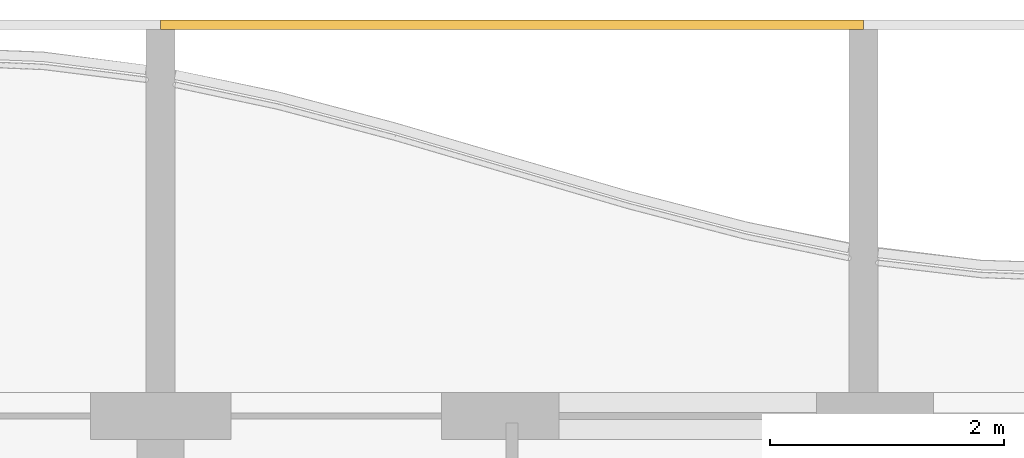
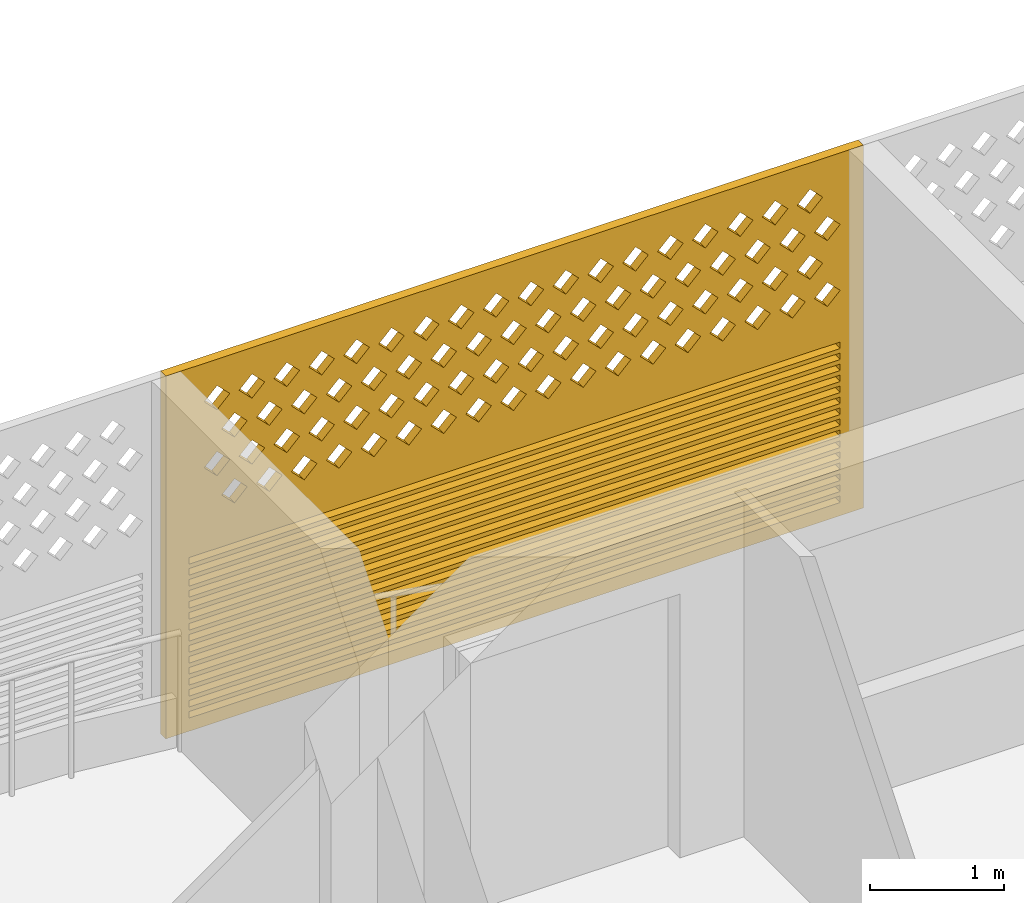
# One storey, part 31 of 44: 1 covering.
"""IFC4 building model written with IfcOpenShell, lengths in metres."""

from ifc_helpers import new_model, si_unit, direction, frame, origin, place, context, subcontext, project, spatial, polyline, outline, extrude, source, transform, mapped, material, material_profile, profile_set, type_object, element, save


model = new_model("IFC4")

# Units and contexts
model_context = context("Model", 3, precision=1e-05, world=origin(), true_north=direction((0.0, 1.0)))
body_context = subcontext(model_context, "Body", "Model", "MODEL_VIEW")
ifc_project = project(units=[si_unit("LENGTHUNIT", "METRE"), si_unit("AREAUNIT", "SQUARE_METRE"), si_unit("VOLUMEUNIT", "CUBIC_METRE"), si_unit("PLANEANGLEUNIT", "RADIAN"), si_unit("MASSUNIT", "GRAM", prefix="KILO")], contexts=[model_context])

# Site, building, storey
site_placement = place(None, origin())
site = spatial("IfcSite", under=ifc_project, at=site_placement, CompositionType="ELEMENT")
building_placement = place(site_placement, origin())
building = spatial("IfcBuilding", under=site, at=building_placement, Name="Poui Terraces", CompositionType="ELEMENT")
storey_placement = place(building_placement, frame((0.0, 0.0, 26.699951171875)))
storey = spatial("IfcBuildingStorey", under=building, at=storey_placement, Name="L06", CompositionType="ELEMENT", Elevation=26.699951171875)

# Covering
ifc_material = material(Name="Terracotta screen", Category="masonry")
ifc_material_profile = material_profile(ifc_material, outline(polyline([(-3.0, -1.64990234375), (3.0, -1.64990234375), (3.0, 1.64990234375), (-3.0, 1.64990234375), (-3.0, -1.64990234375)]), holes=[polyline([(-2.800048828125, 0.39990234375), (-2.68994140625, 0.2900390625), (-2.580078125, 0.39990234375), (-2.68994140625, 0.510009765625), (-2.800048828125, 0.39990234375)]), polyline([(-2.5, 0.39990234375), (-2.389892578125, 0.2900390625), (-2.280029296875, 0.39990234375), (-2.389892578125, 0.510009765625), (-2.5, 0.39990234375)]), polyline([(-2.199951171875, 0.39990234375), (-2.090087890625, 0.2900390625), (-1.97998046875, 0.39990234375), (-2.090087890625, 0.510009765625), (-2.199951171875, 0.39990234375)]), polyline([(-1.89990234375, 0.39990234375), (-1.7900390625, 0.2900390625), (-1.679931640625, 0.39990234375), (-1.7900390625, 0.510009765625), (-1.89990234375, 0.39990234375)]), polyline([(-1.60009765625, 0.39990234375), (-1.489990234375, 0.2900390625), (-1.3798828125, 0.39990234375), (-1.489990234375, 0.510009765625), (-1.60009765625, 0.39990234375)]), polyline([(-1.300048828125, 0.39990234375), (-1.18994140625, 0.2900390625), (-1.080078125, 0.39990234375), (-1.18994140625, 0.510009765625), (-1.300048828125, 0.39990234375)]), polyline([(-1.0, 0.39990234375), (-0.889892578125, 0.2900390625), (-0.780029296875, 0.39990234375), (-0.889892578125, 0.510009765625), (-1.0, 0.39990234375)]), polyline([(-0.699951171875, 0.39990234375), (-0.590087890625, 0.2900390625), (-0.47998046875, 0.39990234375), (-0.590087890625, 0.510009765625), (-0.699951171875, 0.39990234375)]), polyline([(-0.39990234375, 0.39990234375), (-0.2900390625, 0.2900390625), (-0.179931640625, 0.39990234375), (-0.2900390625, 0.510009765625), (-0.39990234375, 0.39990234375)]), polyline([(-0.10009765625, 0.39990234375), (0.010009765625, 0.2900390625), (0.1201171875, 0.39990234375), (0.010009765625, 0.510009765625), (-0.10009765625, 0.39990234375)]), polyline([(0.199951171875, 0.39990234375), (0.31005859375, 0.2900390625), (0.419921875, 0.39990234375), (0.31005859375, 0.510009765625), (0.199951171875, 0.39990234375)]), polyline([(0.5, 0.39990234375), (0.610107421875, 0.2900390625), (0.719970703125, 0.39990234375), (0.610107421875, 0.510009765625), (0.5, 0.39990234375)]), polyline([(0.800048828125, 0.39990234375), (0.909912109375, 0.2900390625), (1.02001953125, 0.39990234375), (0.909912109375, 0.510009765625), (0.800048828125, 0.39990234375)]), polyline([(1.10009765625, 0.39990234375), (1.2099609375, 0.2900390625), (1.320068359375, 0.39990234375), (1.2099609375, 0.510009765625), (1.10009765625, 0.39990234375)]), polyline([(1.39990234375, 0.39990234375), (1.510009765625, 0.2900390625), (1.6201171875, 0.39990234375), (1.510009765625, 0.510009765625), (1.39990234375, 0.39990234375)]), polyline([(1.699951171875, 0.39990234375), (1.81005859375, 0.2900390625), (1.919921875, 0.39990234375), (1.81005859375, 0.510009765625), (1.699951171875, 0.39990234375)]), polyline([(2.0, 0.39990234375), (2.110107421875, 0.2900390625), (2.219970703125, 0.39990234375), (2.110107421875, 0.510009765625), (2.0, 0.39990234375)]), polyline([(2.300048828125, 0.39990234375), (2.409912109375, 0.2900390625), (2.52001953125, 0.39990234375), (2.409912109375, 0.510009765625), (2.300048828125, 0.39990234375)]), polyline([(-2.64990234375, 0.699951171875), (-2.5400390625, 0.590087890625), (-2.429931640625, 0.699951171875), (-2.5400390625, 0.81005859375), (-2.64990234375, 0.699951171875)]), polyline([(-2.35009765625, 0.699951171875), (-2.239990234375, 0.590087890625), (-2.1298828125, 0.699951171875), (-2.239990234375, 0.81005859375), (-2.35009765625, 0.699951171875)]), polyline([(-2.050048828125, 0.699951171875), (-1.93994140625, 0.590087890625), (-1.830078125, 0.699951171875), (-1.93994140625, 0.81005859375), (-2.050048828125, 0.699951171875)]), polyline([(-1.75, 0.699951171875), (-1.639892578125, 0.590087890625), (-1.530029296875, 0.699951171875), (-1.639892578125, 0.81005859375), (-1.75, 0.699951171875)]), polyline([(-1.449951171875, 0.699951171875), (-1.340087890625, 0.590087890625), (-1.22998046875, 0.699951171875), (-1.340087890625, 0.81005859375), (-1.449951171875, 0.699951171875)]), polyline([(-1.14990234375, 0.699951171875), (-1.0400390625, 0.590087890625), (-0.929931640625, 0.699951171875), (-1.0400390625, 0.81005859375), (-1.14990234375, 0.699951171875)]), polyline([(-0.85009765625, 0.699951171875), (-0.739990234375, 0.590087890625), (-0.6298828125, 0.699951171875), (-0.739990234375, 0.81005859375), (-0.85009765625, 0.699951171875)]), polyline([(-0.550048828125, 0.699951171875), (-0.43994140625, 0.590087890625), (-0.330078125, 0.699951171875), (-0.43994140625, 0.81005859375), (-0.550048828125, 0.699951171875)]), polyline([(-0.25, 0.699951171875), (-0.139892578125, 0.590087890625), (-0.030029296875, 0.699951171875), (-0.139892578125, 0.81005859375), (-0.25, 0.699951171875)]), polyline([(0.050048828125, 0.699951171875), (0.159912109375, 0.590087890625), (0.27001953125, 0.699951171875), (0.159912109375, 0.81005859375), (0.050048828125, 0.699951171875)]), polyline([(0.35009765625, 0.699951171875), (0.4599609375, 0.590087890625), (0.570068359375, 0.699951171875), (0.4599609375, 0.81005859375), (0.35009765625, 0.699951171875)]), polyline([(0.64990234375, 0.699951171875), (0.760009765625, 0.590087890625), (0.8701171875, 0.699951171875), (0.760009765625, 0.81005859375), (0.64990234375, 0.699951171875)]), polyline([(0.949951171875, 0.699951171875), (1.06005859375, 0.590087890625), (1.169921875, 0.699951171875), (1.06005859375, 0.81005859375), (0.949951171875, 0.699951171875)]), polyline([(1.25, 0.699951171875), (1.360107421875, 0.590087890625), (1.469970703125, 0.699951171875), (1.360107421875, 0.81005859375), (1.25, 0.699951171875)]), polyline([(1.550048828125, 0.699951171875), (1.659912109375, 0.590087890625), (1.77001953125, 0.699951171875), (1.659912109375, 0.81005859375), (1.550048828125, 0.699951171875)]), polyline([(1.85009765625, 0.699951171875), (1.9599609375, 0.590087890625), (2.070068359375, 0.699951171875), (1.9599609375, 0.81005859375), (1.85009765625, 0.699951171875)]), polyline([(2.14990234375, 0.699951171875), (2.260009765625, 0.590087890625), (2.3701171875, 0.699951171875), (2.260009765625, 0.81005859375), (2.14990234375, 0.699951171875)]), polyline([(2.449951171875, 0.699951171875), (2.56005859375, 0.590087890625), (2.669921875, 0.699951171875), (2.56005859375, 0.81005859375), (2.449951171875, 0.699951171875)]), polyline([(-2.800048828125, 1.0), (-2.68994140625, 0.889892578125), (-2.580078125, 1.0), (-2.68994140625, 1.110107421875), (-2.800048828125, 1.0)]), polyline([(-2.5, 1.0), (-2.389892578125, 0.889892578125), (-2.280029296875, 1.0), (-2.389892578125, 1.110107421875), (-2.5, 1.0)]), polyline([(-2.199951171875, 1.0), (-2.090087890625, 0.889892578125), (-1.97998046875, 1.0), (-2.090087890625, 1.110107421875), (-2.199951171875, 1.0)]), polyline([(-1.89990234375, 1.0), (-1.7900390625, 0.889892578125), (-1.679931640625, 1.0), (-1.7900390625, 1.110107421875), (-1.89990234375, 1.0)]), polyline([(-1.60009765625, 1.0), (-1.489990234375, 0.889892578125), (-1.3798828125, 1.0), (-1.489990234375, 1.110107421875), (-1.60009765625, 1.0)]), polyline([(-1.300048828125, 1.0), (-1.18994140625, 0.889892578125), (-1.080078125, 1.0), (-1.18994140625, 1.110107421875), (-1.300048828125, 1.0)]), polyline([(-1.0, 1.0), (-0.889892578125, 0.889892578125), (-0.780029296875, 1.0), (-0.889892578125, 1.110107421875), (-1.0, 1.0)]), polyline([(-0.699951171875, 1.0), (-0.590087890625, 0.889892578125), (-0.47998046875, 1.0), (-0.590087890625, 1.110107421875), (-0.699951171875, 1.0)]), polyline([(-0.39990234375, 1.0), (-0.2900390625, 0.889892578125), (-0.179931640625, 1.0), (-0.2900390625, 1.110107421875), (-0.39990234375, 1.0)]), polyline([(-0.10009765625, 1.0), (0.010009765625, 0.889892578125), (0.1201171875, 1.0), (0.010009765625, 1.110107421875), (-0.10009765625, 1.0)]), polyline([(0.199951171875, 1.0), (0.31005859375, 0.889892578125), (0.419921875, 1.0), (0.31005859375, 1.110107421875), (0.199951171875, 1.0)]), polyline([(0.5, 1.0), (0.610107421875, 0.889892578125), (0.719970703125, 1.0), (0.610107421875, 1.110107421875), (0.5, 1.0)]), polyline([(0.800048828125, 1.0), (0.909912109375, 0.889892578125), (1.02001953125, 1.0), (0.909912109375, 1.110107421875), (0.800048828125, 1.0)]), polyline([(1.10009765625, 1.0), (1.2099609375, 0.889892578125), (1.320068359375, 1.0), (1.2099609375, 1.110107421875), (1.10009765625, 1.0)]), polyline([(1.39990234375, 1.0), (1.510009765625, 0.889892578125), (1.6201171875, 1.0), (1.510009765625, 1.110107421875), (1.39990234375, 1.0)]), polyline([(1.699951171875, 1.0), (1.81005859375, 0.889892578125), (1.919921875, 1.0), (1.81005859375, 1.110107421875), (1.699951171875, 1.0)]), polyline([(2.0, 1.0), (2.110107421875, 0.889892578125), (2.219970703125, 1.0), (2.110107421875, 1.110107421875), (2.0, 1.0)]), polyline([(2.300048828125, 1.0), (2.409912109375, 0.889892578125), (2.52001953125, 1.0), (2.409912109375, 1.110107421875), (2.300048828125, 1.0)]), polyline([(-2.64990234375, 1.300048828125), (-2.5400390625, 1.18994140625), (-2.429931640625, 1.300048828125), (-2.5400390625, 1.409912109375), (-2.64990234375, 1.300048828125)]), polyline([(-2.35009765625, 1.300048828125), (-2.239990234375, 1.18994140625), (-2.1298828125, 1.300048828125), (-2.239990234375, 1.409912109375), (-2.35009765625, 1.300048828125)]), polyline([(-2.050048828125, 1.300048828125), (-1.93994140625, 1.18994140625), (-1.830078125, 1.300048828125), (-1.93994140625, 1.409912109375), (-2.050048828125, 1.300048828125)]), polyline([(-1.75, 1.300048828125), (-1.639892578125, 1.18994140625), (-1.530029296875, 1.300048828125), (-1.639892578125, 1.409912109375), (-1.75, 1.300048828125)]), polyline([(-1.449951171875, 1.300048828125), (-1.340087890625, 1.18994140625), (-1.22998046875, 1.300048828125), (-1.340087890625, 1.409912109375), (-1.449951171875, 1.300048828125)]), polyline([(-1.14990234375, 1.300048828125), (-1.0400390625, 1.18994140625), (-0.929931640625, 1.300048828125), (-1.0400390625, 1.409912109375), (-1.14990234375, 1.300048828125)]), polyline([(-0.85009765625, 1.300048828125), (-0.739990234375, 1.18994140625), (-0.6298828125, 1.300048828125), (-0.739990234375, 1.409912109375), (-0.85009765625, 1.300048828125)]), polyline([(-0.550048828125, 1.300048828125), (-0.43994140625, 1.18994140625), (-0.330078125, 1.300048828125), (-0.43994140625, 1.409912109375), (-0.550048828125, 1.300048828125)]), polyline([(-0.25, 1.300048828125), (-0.139892578125, 1.18994140625), (-0.030029296875, 1.300048828125), (-0.139892578125, 1.409912109375), (-0.25, 1.300048828125)]), polyline([(0.050048828125, 1.300048828125), (0.159912109375, 1.18994140625), (0.27001953125, 1.300048828125), (0.159912109375, 1.409912109375), (0.050048828125, 1.300048828125)]), polyline([(0.35009765625, 1.300048828125), (0.4599609375, 1.18994140625), (0.570068359375, 1.300048828125), (0.4599609375, 1.409912109375), (0.35009765625, 1.300048828125)]), polyline([(0.64990234375, 1.300048828125), (0.760009765625, 1.18994140625), (0.8701171875, 1.300048828125), (0.760009765625, 1.409912109375), (0.64990234375, 1.300048828125)]), polyline([(0.949951171875, 1.300048828125), (1.06005859375, 1.18994140625), (1.169921875, 1.300048828125), (1.06005859375, 1.409912109375), (0.949951171875, 1.300048828125)]), polyline([(1.25, 1.300048828125), (1.360107421875, 1.18994140625), (1.469970703125, 1.300048828125), (1.360107421875, 1.409912109375), (1.25, 1.300048828125)]), polyline([(1.550048828125, 1.300048828125), (1.659912109375, 1.18994140625), (1.77001953125, 1.300048828125), (1.659912109375, 1.409912109375), (1.550048828125, 1.300048828125)]), polyline([(1.85009765625, 1.300048828125), (1.9599609375, 1.18994140625), (2.070068359375, 1.300048828125), (1.9599609375, 1.409912109375), (1.85009765625, 1.300048828125)]), polyline([(2.14990234375, 1.300048828125), (2.260009765625, 1.18994140625), (2.3701171875, 1.300048828125), (2.260009765625, 1.409912109375), (2.14990234375, 1.300048828125)]), polyline([(2.449951171875, 1.300048828125), (2.56005859375, 1.18994140625), (2.669921875, 1.300048828125), (2.56005859375, 1.409912109375), (2.449951171875, 1.300048828125)]), polyline([(-2.800048828125, -1.530029296875), (2.800048828125, -1.530029296875), (2.800048828125, -1.469970703125), (-2.800048828125, -1.469970703125), (-2.800048828125, -1.530029296875)]), polyline([(-2.800048828125, -1.429931640625), (2.800048828125, -1.429931640625), (2.800048828125, -1.3701171875), (-2.800048828125, -1.3701171875), (-2.800048828125, -1.429931640625)]), polyline([(-2.800048828125, -1.330078125), (2.800048828125, -1.330078125), (2.800048828125, -1.27001953125), (-2.800048828125, -1.27001953125), (-2.800048828125, -1.330078125)]), polyline([(-2.800048828125, -1.22998046875), (2.800048828125, -1.22998046875), (2.800048828125, -1.169921875), (-2.800048828125, -1.169921875), (-2.800048828125, -1.22998046875)]), polyline([(-2.800048828125, -1.1298828125), (2.800048828125, -1.1298828125), (2.800048828125, -1.070068359375), (-2.800048828125, -1.070068359375), (-2.800048828125, -1.1298828125)]), polyline([(-2.800048828125, -1.030029296875), (2.800048828125, -1.030029296875), (2.800048828125, -0.969970703125), (-2.800048828125, -0.969970703125), (-2.800048828125, -1.030029296875)]), polyline([(-2.800048828125, -0.929931640625), (2.800048828125, -0.929931640625), (2.800048828125, -0.8701171875), (-2.800048828125, -0.8701171875), (-2.800048828125, -0.929931640625)]), polyline([(-2.800048828125, -0.830078125), (2.800048828125, -0.830078125), (2.800048828125, -0.77001953125), (-2.800048828125, -0.77001953125), (-2.800048828125, -0.830078125)]), polyline([(-2.800048828125, -0.72998046875), (2.800048828125, -0.72998046875), (2.800048828125, -0.669921875), (-2.800048828125, -0.669921875), (-2.800048828125, -0.72998046875)]), polyline([(-2.800048828125, -0.6298828125), (2.800048828125, -0.6298828125), (2.800048828125, -0.570068359375), (-2.800048828125, -0.570068359375), (-2.800048828125, -0.6298828125)]), polyline([(-2.800048828125, -0.530029296875), (2.800048828125, -0.530029296875), (2.800048828125, -0.469970703125), (-2.800048828125, -0.469970703125), (-2.800048828125, -0.530029296875)]), polyline([(-2.800048828125, -0.429931640625), (2.800048828125, -0.429931640625), (2.800048828125, -0.3701171875), (-2.800048828125, -0.3701171875), (-2.800048828125, -0.429931640625)]), polyline([(-2.800048828125, -0.330078125), (2.800048828125, -0.330078125), (2.800048828125, -0.27001953125), (-2.800048828125, -0.27001953125), (-2.800048828125, -0.330078125)]), polyline([(-2.800048828125, -0.22998046875), (2.800048828125, -0.22998046875), (2.800048828125, -0.169921875), (-2.800048828125, -0.169921875), (-2.800048828125, -0.22998046875)]), polyline([(-2.800048828125, -0.1298828125), (2.800048828125, -0.1298828125), (2.800048828125, -0.070068359375), (-2.800048828125, -0.070068359375), (-2.800048828125, -0.1298828125)])]), Name="TERRACOTTA SCREEN AND JALOUSIE LOUVRE 6000X3300")
ifc_profile_set = profile_set([ifc_material_profile], Name="Terracotta screen")
covering_type = type_object("IfcCoveringType", Name="TERRACOTTA SCREEN AND JALOUSIE LOUVRE 6000X3300", PredefinedType="CLADDING", material=ifc_profile_set)
shared_shape = source(origin(), body_context, "Body", "SweptSolid", [
    extrude(outline(polyline([(-3.0, -1.64990234375), (3.0, -1.64990234375), (3.0, 1.64990234375), (-3.0, 1.64990234375), (-3.0, -1.64990234375)]), holes=[polyline([(-2.800048828125, 0.39990234375), (-2.68994140625, 0.2900390625), (-2.580078125, 0.39990234375), (-2.68994140625, 0.510009765625), (-2.800048828125, 0.39990234375)]), polyline([(-2.5, 0.39990234375), (-2.389892578125, 0.2900390625), (-2.280029296875, 0.39990234375), (-2.389892578125, 0.510009765625), (-2.5, 0.39990234375)]), polyline([(-2.199951171875, 0.39990234375), (-2.090087890625, 0.2900390625), (-1.97998046875, 0.39990234375), (-2.090087890625, 0.510009765625), (-2.199951171875, 0.39990234375)]), polyline([(-1.89990234375, 0.39990234375), (-1.7900390625, 0.2900390625), (-1.679931640625, 0.39990234375), (-1.7900390625, 0.510009765625), (-1.89990234375, 0.39990234375)]), polyline([(-1.60009765625, 0.39990234375), (-1.489990234375, 0.2900390625), (-1.3798828125, 0.39990234375), (-1.489990234375, 0.510009765625), (-1.60009765625, 0.39990234375)]), polyline([(-1.300048828125, 0.39990234375), (-1.18994140625, 0.2900390625), (-1.080078125, 0.39990234375), (-1.18994140625, 0.510009765625), (-1.300048828125, 0.39990234375)]), polyline([(-1.0, 0.39990234375), (-0.889892578125, 0.2900390625), (-0.780029296875, 0.39990234375), (-0.889892578125, 0.510009765625), (-1.0, 0.39990234375)]), polyline([(-0.699951171875, 0.39990234375), (-0.590087890625, 0.2900390625), (-0.47998046875, 0.39990234375), (-0.590087890625, 0.510009765625), (-0.699951171875, 0.39990234375)]), polyline([(-0.39990234375, 0.39990234375), (-0.2900390625, 0.2900390625), (-0.179931640625, 0.39990234375), (-0.2900390625, 0.510009765625), (-0.39990234375, 0.39990234375)]), polyline([(-0.10009765625, 0.39990234375), (0.010009765625, 0.2900390625), (0.1201171875, 0.39990234375), (0.010009765625, 0.510009765625), (-0.10009765625, 0.39990234375)]), polyline([(0.199951171875, 0.39990234375), (0.31005859375, 0.2900390625), (0.419921875, 0.39990234375), (0.31005859375, 0.510009765625), (0.199951171875, 0.39990234375)]), polyline([(0.5, 0.39990234375), (0.610107421875, 0.2900390625), (0.719970703125, 0.39990234375), (0.610107421875, 0.510009765625), (0.5, 0.39990234375)]), polyline([(0.800048828125, 0.39990234375), (0.909912109375, 0.2900390625), (1.02001953125, 0.39990234375), (0.909912109375, 0.510009765625), (0.800048828125, 0.39990234375)]), polyline([(1.10009765625, 0.39990234375), (1.2099609375, 0.2900390625), (1.320068359375, 0.39990234375), (1.2099609375, 0.510009765625), (1.10009765625, 0.39990234375)]), polyline([(1.39990234375, 0.39990234375), (1.510009765625, 0.2900390625), (1.6201171875, 0.39990234375), (1.510009765625, 0.510009765625), (1.39990234375, 0.39990234375)]), polyline([(1.699951171875, 0.39990234375), (1.81005859375, 0.2900390625), (1.919921875, 0.39990234375), (1.81005859375, 0.510009765625), (1.699951171875, 0.39990234375)]), polyline([(2.0, 0.39990234375), (2.110107421875, 0.2900390625), (2.219970703125, 0.39990234375), (2.110107421875, 0.510009765625), (2.0, 0.39990234375)]), polyline([(2.300048828125, 0.39990234375), (2.409912109375, 0.2900390625), (2.52001953125, 0.39990234375), (2.409912109375, 0.510009765625), (2.300048828125, 0.39990234375)]), polyline([(-2.64990234375, 0.699951171875), (-2.5400390625, 0.590087890625), (-2.429931640625, 0.699951171875), (-2.5400390625, 0.81005859375), (-2.64990234375, 0.699951171875)]), polyline([(-2.35009765625, 0.699951171875), (-2.239990234375, 0.590087890625), (-2.1298828125, 0.699951171875), (-2.239990234375, 0.81005859375), (-2.35009765625, 0.699951171875)]), polyline([(-2.050048828125, 0.699951171875), (-1.93994140625, 0.590087890625), (-1.830078125, 0.699951171875), (-1.93994140625, 0.81005859375), (-2.050048828125, 0.699951171875)]), polyline([(-1.75, 0.699951171875), (-1.639892578125, 0.590087890625), (-1.530029296875, 0.699951171875), (-1.639892578125, 0.81005859375), (-1.75, 0.699951171875)]), polyline([(-1.449951171875, 0.699951171875), (-1.340087890625, 0.590087890625), (-1.22998046875, 0.699951171875), (-1.340087890625, 0.81005859375), (-1.449951171875, 0.699951171875)]), polyline([(-1.14990234375, 0.699951171875), (-1.0400390625, 0.590087890625), (-0.929931640625, 0.699951171875), (-1.0400390625, 0.81005859375), (-1.14990234375, 0.699951171875)]), polyline([(-0.85009765625, 0.699951171875), (-0.739990234375, 0.590087890625), (-0.6298828125, 0.699951171875), (-0.739990234375, 0.81005859375), (-0.85009765625, 0.699951171875)]), polyline([(-0.550048828125, 0.699951171875), (-0.43994140625, 0.590087890625), (-0.330078125, 0.699951171875), (-0.43994140625, 0.81005859375), (-0.550048828125, 0.699951171875)]), polyline([(-0.25, 0.699951171875), (-0.139892578125, 0.590087890625), (-0.030029296875, 0.699951171875), (-0.139892578125, 0.81005859375), (-0.25, 0.699951171875)]), polyline([(0.050048828125, 0.699951171875), (0.159912109375, 0.590087890625), (0.27001953125, 0.699951171875), (0.159912109375, 0.81005859375), (0.050048828125, 0.699951171875)]), polyline([(0.35009765625, 0.699951171875), (0.4599609375, 0.590087890625), (0.570068359375, 0.699951171875), (0.4599609375, 0.81005859375), (0.35009765625, 0.699951171875)]), polyline([(0.64990234375, 0.699951171875), (0.760009765625, 0.590087890625), (0.8701171875, 0.699951171875), (0.760009765625, 0.81005859375), (0.64990234375, 0.699951171875)]), polyline([(0.949951171875, 0.699951171875), (1.06005859375, 0.590087890625), (1.169921875, 0.699951171875), (1.06005859375, 0.81005859375), (0.949951171875, 0.699951171875)]), polyline([(1.25, 0.699951171875), (1.360107421875, 0.590087890625), (1.469970703125, 0.699951171875), (1.360107421875, 0.81005859375), (1.25, 0.699951171875)]), polyline([(1.550048828125, 0.699951171875), (1.659912109375, 0.590087890625), (1.77001953125, 0.699951171875), (1.659912109375, 0.81005859375), (1.550048828125, 0.699951171875)]), polyline([(1.85009765625, 0.699951171875), (1.9599609375, 0.590087890625), (2.070068359375, 0.699951171875), (1.9599609375, 0.81005859375), (1.85009765625, 0.699951171875)]), polyline([(2.14990234375, 0.699951171875), (2.260009765625, 0.590087890625), (2.3701171875, 0.699951171875), (2.260009765625, 0.81005859375), (2.14990234375, 0.699951171875)]), polyline([(2.449951171875, 0.699951171875), (2.56005859375, 0.590087890625), (2.669921875, 0.699951171875), (2.56005859375, 0.81005859375), (2.449951171875, 0.699951171875)]), polyline([(-2.800048828125, 1.0), (-2.68994140625, 0.889892578125), (-2.580078125, 1.0), (-2.68994140625, 1.110107421875), (-2.800048828125, 1.0)]), polyline([(-2.5, 1.0), (-2.389892578125, 0.889892578125), (-2.280029296875, 1.0), (-2.389892578125, 1.110107421875), (-2.5, 1.0)]), polyline([(-2.199951171875, 1.0), (-2.090087890625, 0.889892578125), (-1.97998046875, 1.0), (-2.090087890625, 1.110107421875), (-2.199951171875, 1.0)]), polyline([(-1.89990234375, 1.0), (-1.7900390625, 0.889892578125), (-1.679931640625, 1.0), (-1.7900390625, 1.110107421875), (-1.89990234375, 1.0)]), polyline([(-1.60009765625, 1.0), (-1.489990234375, 0.889892578125), (-1.3798828125, 1.0), (-1.489990234375, 1.110107421875), (-1.60009765625, 1.0)]), polyline([(-1.300048828125, 1.0), (-1.18994140625, 0.889892578125), (-1.080078125, 1.0), (-1.18994140625, 1.110107421875), (-1.300048828125, 1.0)]), polyline([(-1.0, 1.0), (-0.889892578125, 0.889892578125), (-0.780029296875, 1.0), (-0.889892578125, 1.110107421875), (-1.0, 1.0)]), polyline([(-0.699951171875, 1.0), (-0.590087890625, 0.889892578125), (-0.47998046875, 1.0), (-0.590087890625, 1.110107421875), (-0.699951171875, 1.0)]), polyline([(-0.39990234375, 1.0), (-0.2900390625, 0.889892578125), (-0.179931640625, 1.0), (-0.2900390625, 1.110107421875), (-0.39990234375, 1.0)]), polyline([(-0.10009765625, 1.0), (0.010009765625, 0.889892578125), (0.1201171875, 1.0), (0.010009765625, 1.110107421875), (-0.10009765625, 1.0)]), polyline([(0.199951171875, 1.0), (0.31005859375, 0.889892578125), (0.419921875, 1.0), (0.31005859375, 1.110107421875), (0.199951171875, 1.0)]), polyline([(0.5, 1.0), (0.610107421875, 0.889892578125), (0.719970703125, 1.0), (0.610107421875, 1.110107421875), (0.5, 1.0)]), polyline([(0.800048828125, 1.0), (0.909912109375, 0.889892578125), (1.02001953125, 1.0), (0.909912109375, 1.110107421875), (0.800048828125, 1.0)]), polyline([(1.10009765625, 1.0), (1.2099609375, 0.889892578125), (1.320068359375, 1.0), (1.2099609375, 1.110107421875), (1.10009765625, 1.0)]), polyline([(1.39990234375, 1.0), (1.510009765625, 0.889892578125), (1.6201171875, 1.0), (1.510009765625, 1.110107421875), (1.39990234375, 1.0)]), polyline([(1.699951171875, 1.0), (1.81005859375, 0.889892578125), (1.919921875, 1.0), (1.81005859375, 1.110107421875), (1.699951171875, 1.0)]), polyline([(2.0, 1.0), (2.110107421875, 0.889892578125), (2.219970703125, 1.0), (2.110107421875, 1.110107421875), (2.0, 1.0)]), polyline([(2.300048828125, 1.0), (2.409912109375, 0.889892578125), (2.52001953125, 1.0), (2.409912109375, 1.110107421875), (2.300048828125, 1.0)]), polyline([(-2.64990234375, 1.300048828125), (-2.5400390625, 1.18994140625), (-2.429931640625, 1.300048828125), (-2.5400390625, 1.409912109375), (-2.64990234375, 1.300048828125)]), polyline([(-2.35009765625, 1.300048828125), (-2.239990234375, 1.18994140625), (-2.1298828125, 1.300048828125), (-2.239990234375, 1.409912109375), (-2.35009765625, 1.300048828125)]), polyline([(-2.050048828125, 1.300048828125), (-1.93994140625, 1.18994140625), (-1.830078125, 1.300048828125), (-1.93994140625, 1.409912109375), (-2.050048828125, 1.300048828125)]), polyline([(-1.75, 1.300048828125), (-1.639892578125, 1.18994140625), (-1.530029296875, 1.300048828125), (-1.639892578125, 1.409912109375), (-1.75, 1.300048828125)]), polyline([(-1.449951171875, 1.300048828125), (-1.340087890625, 1.18994140625), (-1.22998046875, 1.300048828125), (-1.340087890625, 1.409912109375), (-1.449951171875, 1.300048828125)]), polyline([(-1.14990234375, 1.300048828125), (-1.0400390625, 1.18994140625), (-0.929931640625, 1.300048828125), (-1.0400390625, 1.409912109375), (-1.14990234375, 1.300048828125)]), polyline([(-0.85009765625, 1.300048828125), (-0.739990234375, 1.18994140625), (-0.6298828125, 1.300048828125), (-0.739990234375, 1.409912109375), (-0.85009765625, 1.300048828125)]), polyline([(-0.550048828125, 1.300048828125), (-0.43994140625, 1.18994140625), (-0.330078125, 1.300048828125), (-0.43994140625, 1.409912109375), (-0.550048828125, 1.300048828125)]), polyline([(-0.25, 1.300048828125), (-0.139892578125, 1.18994140625), (-0.030029296875, 1.300048828125), (-0.139892578125, 1.409912109375), (-0.25, 1.300048828125)]), polyline([(0.050048828125, 1.300048828125), (0.159912109375, 1.18994140625), (0.27001953125, 1.300048828125), (0.159912109375, 1.409912109375), (0.050048828125, 1.300048828125)]), polyline([(0.35009765625, 1.300048828125), (0.4599609375, 1.18994140625), (0.570068359375, 1.300048828125), (0.4599609375, 1.409912109375), (0.35009765625, 1.300048828125)]), polyline([(0.64990234375, 1.300048828125), (0.760009765625, 1.18994140625), (0.8701171875, 1.300048828125), (0.760009765625, 1.409912109375), (0.64990234375, 1.300048828125)]), polyline([(0.949951171875, 1.300048828125), (1.06005859375, 1.18994140625), (1.169921875, 1.300048828125), (1.06005859375, 1.409912109375), (0.949951171875, 1.300048828125)]), polyline([(1.25, 1.300048828125), (1.360107421875, 1.18994140625), (1.469970703125, 1.300048828125), (1.360107421875, 1.409912109375), (1.25, 1.300048828125)]), polyline([(1.550048828125, 1.300048828125), (1.659912109375, 1.18994140625), (1.77001953125, 1.300048828125), (1.659912109375, 1.409912109375), (1.550048828125, 1.300048828125)]), polyline([(1.85009765625, 1.300048828125), (1.9599609375, 1.18994140625), (2.070068359375, 1.300048828125), (1.9599609375, 1.409912109375), (1.85009765625, 1.300048828125)]), polyline([(2.14990234375, 1.300048828125), (2.260009765625, 1.18994140625), (2.3701171875, 1.300048828125), (2.260009765625, 1.409912109375), (2.14990234375, 1.300048828125)]), polyline([(2.449951171875, 1.300048828125), (2.56005859375, 1.18994140625), (2.669921875, 1.300048828125), (2.56005859375, 1.409912109375), (2.449951171875, 1.300048828125)]), polyline([(-2.800048828125, -1.530029296875), (2.800048828125, -1.530029296875), (2.800048828125, -1.469970703125), (-2.800048828125, -1.469970703125), (-2.800048828125, -1.530029296875)]), polyline([(-2.800048828125, -1.429931640625), (2.800048828125, -1.429931640625), (2.800048828125, -1.3701171875), (-2.800048828125, -1.3701171875), (-2.800048828125, -1.429931640625)]), polyline([(-2.800048828125, -1.330078125), (2.800048828125, -1.330078125), (2.800048828125, -1.27001953125), (-2.800048828125, -1.27001953125), (-2.800048828125, -1.330078125)]), polyline([(-2.800048828125, -1.22998046875), (2.800048828125, -1.22998046875), (2.800048828125, -1.169921875), (-2.800048828125, -1.169921875), (-2.800048828125, -1.22998046875)]), polyline([(-2.800048828125, -1.1298828125), (2.800048828125, -1.1298828125), (2.800048828125, -1.070068359375), (-2.800048828125, -1.070068359375), (-2.800048828125, -1.1298828125)]), polyline([(-2.800048828125, -1.030029296875), (2.800048828125, -1.030029296875), (2.800048828125, -0.969970703125), (-2.800048828125, -0.969970703125), (-2.800048828125, -1.030029296875)]), polyline([(-2.800048828125, -0.929931640625), (2.800048828125, -0.929931640625), (2.800048828125, -0.8701171875), (-2.800048828125, -0.8701171875), (-2.800048828125, -0.929931640625)]), polyline([(-2.800048828125, -0.830078125), (2.800048828125, -0.830078125), (2.800048828125, -0.77001953125), (-2.800048828125, -0.77001953125), (-2.800048828125, -0.830078125)]), polyline([(-2.800048828125, -0.72998046875), (2.800048828125, -0.72998046875), (2.800048828125, -0.669921875), (-2.800048828125, -0.669921875), (-2.800048828125, -0.72998046875)]), polyline([(-2.800048828125, -0.6298828125), (2.800048828125, -0.6298828125), (2.800048828125, -0.570068359375), (-2.800048828125, -0.570068359375), (-2.800048828125, -0.6298828125)]), polyline([(-2.800048828125, -0.530029296875), (2.800048828125, -0.530029296875), (2.800048828125, -0.469970703125), (-2.800048828125, -0.469970703125), (-2.800048828125, -0.530029296875)]), polyline([(-2.800048828125, -0.429931640625), (2.800048828125, -0.429931640625), (2.800048828125, -0.3701171875), (-2.800048828125, -0.3701171875), (-2.800048828125, -0.429931640625)]), polyline([(-2.800048828125, -0.330078125), (2.800048828125, -0.330078125), (2.800048828125, -0.27001953125), (-2.800048828125, -0.27001953125), (-2.800048828125, -0.330078125)]), polyline([(-2.800048828125, -0.22998046875), (2.800048828125, -0.22998046875), (2.800048828125, -0.169921875), (-2.800048828125, -0.169921875), (-2.800048828125, -0.22998046875)]), polyline([(-2.800048828125, -0.1298828125), (2.800048828125, -0.1298828125), (2.800048828125, -0.070068359375), (-2.800048828125, -0.070068359375), (-2.800048828125, -0.1298828125)])]), origin(), (0.0, 0.0, 1.0), 0.079833984375),
])
covering_placement = place(storey_placement, frame((45.0, 48.10009765625, 1.449951171875), z_axis=(0.0, 1.0, 0.0), x_axis=(-1.0, 0.0, 0.0)))
element("IfcCovering", 1, at=covering_placement, inside=storey, type_object=covering_type, Name="SOLAR SCREEN AND JALOUSIE LOUVRE", PredefinedType="CLADDING", context=body_context, shape_type="MappedRepresentation", body=[
    mapped(shared_shape, transform((0.0, 0.0, 0.0))),
])

save(model, "model.ifc")
